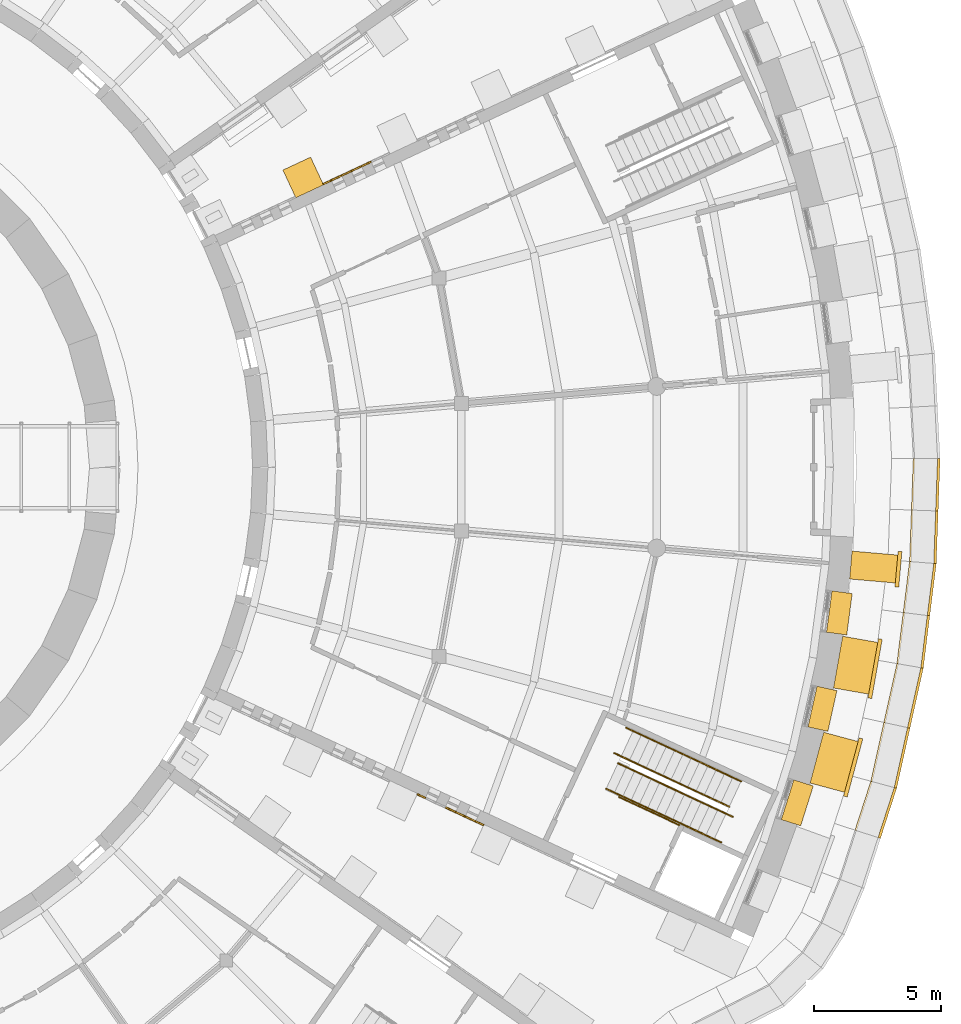
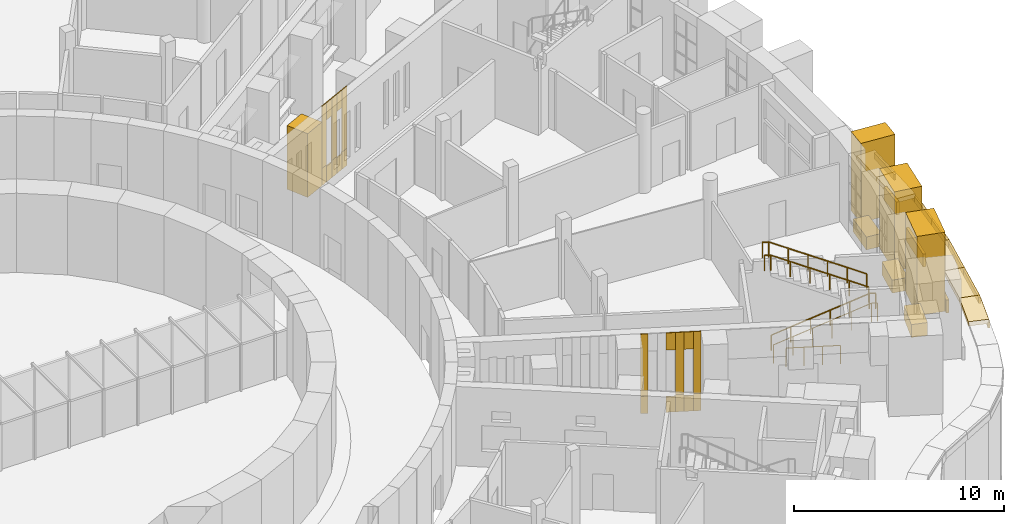
# One storey, part 73 of 85: 44 coverings, 5 railings.
"""IFC4 building model written with IfcOpenShell, lengths in metres."""

from ifc_helpers import new_model, si_unit, direction, frame, origin, origin_2d, place, context, subcontext, project, spatial, polyline, rectangle, circle, outline, extrude, material, layer, layer_set, type_object, element, save


model = new_model("IFC4")

# Units and contexts
model_context = context("Model", 3, precision=1e-05, world=origin(), true_north=direction((0.0, 1.0)))
body_context = subcontext(model_context, "Body", "Model", "MODEL_VIEW")
ifc_project = project(units=[si_unit("LENGTHUNIT", "METRE"), si_unit("AREAUNIT", "SQUARE_METRE"), si_unit("VOLUMEUNIT", "CUBIC_METRE"), si_unit("PLANEANGLEUNIT", "RADIAN"), si_unit("MASSUNIT", "GRAM", prefix="KILO")], contexts=[model_context])

# Site, building, storey
site_placement = place(None, origin())
site = spatial("IfcSite", under=ifc_project, at=site_placement, CompositionType="ELEMENT")
building_placement = place(site_placement, origin())
building = spatial("IfcBuilding", under=site, at=building_placement, Name="Volute Hill Aquarium", CompositionType="ELEMENT")
storey_placement = place(building_placement, origin())
storey = spatial("IfcBuildingStorey", under=building, at=storey_placement, Name="L01", CompositionType="ELEMENT", Elevation=0.0)

# Coverings
ifc_material_1 = material(Name="Blue limestone", Category="masonry")
covering_type_1 = type_object("IfcCoveringType", Name="Bluestone plinth block 275x750", PredefinedType="CLADDING", material=ifc_material_1)
for number, where, z_axis, x_axis, name in (
    (1, (41.781005859375, -13.173583984375, 0.0), (0.0, 0.0, 1.0), (0.300712819287, 0.953714737391, 0.0), "Bluestone plinth BPN S4 L01 2"),
    (2, (42.77001953125, -9.48193359375, 0.0), (0.0, 0.0, 1.0), (0.216435504842, 0.976296918076, 0.0), "Bluestone plinth BPN S4 L01 3"),
    (3, (43.43359375, -5.718017578125, 0.0), (0.0, 0.0, 1.0), (0.130515650214, 0.991446249198, 0.0), "Bluestone plinth BPN S4 L01 4"),
):
    element("IfcCovering", number, at=place(storey_placement, frame(where, z_axis=z_axis, x_axis=x_axis)), inside=storey, type_object=covering_type_1, Name=name, PredefinedType="CLADDING", context=body_context, shape_type="SweptSolid", body=[
        extrude(rectangle(XDim=1.637451171875, YDim=0.800048828125, at=origin_2d()), origin(), (0.0, 0.0, 1.0), 0.75),
    ])
ifc_material_2 = material(Name="Blue limestone", Category="masonry")
ifc_layer_1 = layer(ifc_material_2, 0.14990234375)
ifc_layer_set_1 = layer_set([ifc_layer_1], Name="Bluestone plinth plate 150x750")
covering_type_2 = type_object("IfcCoveringType", Name="Bluestone plinth plate 150x750", PredefinedType="CLADDING", material=ifc_layer_set_1)
for number, where, z_axis, x_axis, name in (
    (4, (43.97607421875, -11.783203125, 0.0), (0.0, 0.0, 1.0), (0.258819045103, 0.965925826289, 0.0), "Bluestone plinth BP S4 L01 2"),
    (5, (44.835693359375, -7.90576171875, 0.0), (0.0, 0.0, 1.0), (0.173648177667, 0.984807753012, 0.0), "Bluestone plinth BP S4 L01 3"),
):
    element("IfcCovering", number, at=place(storey_placement, frame(where, z_axis=z_axis, x_axis=x_axis)), inside=storey, type_object=covering_type_2, Name=name, PredefinedType="CLADDING", context=body_context, shape_type="SweptSolid", body=[
        extrude(rectangle(XDim=2.362060546875, YDim=0.14990234375, at=origin_2d()), origin(), (0.0, 0.0, 1.0), 0.75),
    ])
covering_1_placement = place(storey_placement, frame((45.75244140625, -4.002685546875, 0.0), z_axis=(0.0, 0.0, 1.0), x_axis=(0.087155742748, 0.996194698092, 0.0)))
element("IfcCovering", 6, at=covering_1_placement, inside=storey, type_object=covering_type_2, Name="Bluestone plinth BP S4 L01 4", PredefinedType="CLADDING", context=body_context, shape_type="SweptSolid", body=[
    extrude(rectangle(XDim=1.39990234375, YDim=0.14990234375, at=origin_2d()), origin(), (0.0, 0.0, 1.0), 0.75),
])
ifc_material_3 = material(Name="Blue limestone", Category="masonry")
ifc_layer_2 = layer(ifc_material_3, 0.06005859375)
ifc_layer_set_2 = layer_set([ifc_layer_2], Name="End wall plinth blue limestone 60")
covering_type_3 = type_object("IfcCoveringType", Name="End wall plinth blue limestone 60", PredefinedType="CLADDING", material=ifc_layer_set_2)
covering_2_placement = place(storey_placement, frame((26.8515625, -12.863037109375, 0.0), z_axis=(-0.422503748493, -0.906361176634, 0.0), x_axis=(0.906361176634, -0.422503748493, 0.0)))
element("IfcCovering", 7, at=covering_2_placement, inside=storey, type_object=covering_type_3, Name="End wall plinth EWL S4A L01 3", PredefinedType="CLADDING", context=body_context, shape_type="SweptSolid", body=[
    extrude(outline(polyline([(0.0, 0.0), (0.35017255888939314, 0.0), (0.35017255888939314, 1.0), (0.0, 1.0), (0.0, 0.0)])), origin(), (0.0, 0.0, -1.0), 0.06005859375),
])
covering_3_placement = place(storey_placement, frame((27.950927734375, -13.375732421875, 0.0), z_axis=(-0.422736919649, -0.906252446488, 0.0), x_axis=(0.906252446488, -0.422736919649, 0.0)))
element("IfcCovering", 8, at=covering_3_placement, inside=storey, type_object=covering_type_3, Name="End wall plinth EWL S4A L01 3", PredefinedType="CLADDING", context=body_context, shape_type="SweptSolid", body=[
    extrude(outline(polyline([(0.0, 0.0), (0.4498910268656508, 0.0), (0.4498910268656508, 0.89990234375), (0.0, 0.89990234375), (0.0, 0.0)])), origin(), (0.0, 0.0, -1.0), 0.06005859375),
])
covering_4_placement = place(storey_placement, frame((28.358642578125, -13.56591796875, 0.0), z_axis=(-0.42220553922, -0.906500128324, 0.0), x_axis=(0.906500128324, -0.42220553922, 0.0)))
element("IfcCovering", 9, at=covering_4_placement, inside=storey, type_object=covering_type_3, Name="End wall plinth EWL S4A L01 3", PredefinedType="CLADDING", context=body_context, shape_type="SweptSolid", body=[
    extrude(outline(polyline([(0.0, 0.0), (0.4128709598936065, 0.0), (0.4128709598936065, 1.0), (0.0, 1.0), (0.0, 0.0)])), origin(), (0.0, 0.0, -1.0), 0.06005859375),
])
covering_5_placement = place(storey_placement, frame((28.73291015625, -13.740234375, 0.0), z_axis=(-0.422736919649, -0.906252446488, 0.0), x_axis=(0.906252446488, -0.422736919649, 0.0)))
element("IfcCovering", 10, at=covering_5_placement, inside=storey, type_object=covering_type_3, Name="End wall plinth EWL S4A L01 3", PredefinedType="CLADDING", context=body_context, shape_type="SweptSolid", body=[
    extrude(outline(polyline([(0.0, 0.0), (0.4498910268656508, 0.0), (0.4498910268656508, 0.89990234375), (0.0, 0.89990234375), (0.0, 0.0)])), origin(), (0.0, 0.0, -1.0), 0.06005859375),
])
for number, where, z_axis, x_axis, name in (
    (11, (29.140625, -13.930419921875, 0.0), (-0.422503748493, -0.906361176634, 0.0), (0.906361176634, -0.422503748493, 0.0), "End wall plinth EWL S4A L01 3"),
    (12, (23.182861328125, 11.086181640625, 0.0), (0.422503748493, -0.906361176634, 0.0), (0.906361176634, 0.422503748493, 0.0), "End wall plinth EWL S4B L01 2"),
):
    element("IfcCovering", number, at=place(storey_placement, frame(where, z_axis=z_axis, x_axis=x_axis)), inside=storey, type_object=covering_type_3, Name=name, PredefinedType="CLADDING", context=body_context, shape_type="SweptSolid", body=[
        extrude(outline(polyline([(0.0, 0.0), (0.35017255888939314, 0.0), (0.35017255888939314, 1.0), (0.0, 1.0), (0.0, 0.0)])), origin(), (0.0, 0.0, -1.0), 0.06005859375),
    ])
covering_6_placement = place(storey_placement, frame((23.500244140625, 11.234130859375, 0.0), z_axis=(0.422736919649, -0.906252446488, 0.0), x_axis=(0.906252446488, 0.422736919649, 0.0)))
element("IfcCovering", 13, at=covering_6_placement, inside=storey, type_object=covering_type_3, Name="End wall plinth EWL S4B L01 2", PredefinedType="CLADDING", context=body_context, shape_type="SweptSolid", body=[
    extrude(outline(polyline([(0.0, 0.0), (0.4498910268656508, 0.0), (0.4498910268656508, 0.89990234375), (0.0, 0.89990234375), (0.0, 0.0)])), origin(), (0.0, 0.0, -1.0), 0.06005859375),
])
covering_7_placement = place(storey_placement, frame((23.907958984375, 11.42431640625, 0.0), z_axis=(0.422691273525, -0.906273737502, 0.0), x_axis=(0.906273737502, 0.422691273525, 0.0)))
element("IfcCovering", 14, at=covering_7_placement, inside=storey, type_object=covering_type_3, Name="End wall plinth EWL S4B L01 2", PredefinedType="CLADDING", context=body_context, shape_type="SweptSolid", body=[
    extrude(outline(polyline([(0.0, 0.0), (0.4129740967189735, 0.0), (0.4129740967189735, 1.0), (0.0, 1.0), (0.0, 0.0)])), origin(), (0.0, 0.0, -1.0), 0.06005859375),
])
covering_8_placement = place(storey_placement, frame((24.2822265625, 11.598876953125, 0.0), z_axis=(0.422736919649, -0.906252446488, 0.0), x_axis=(0.906252446488, 0.422736919649, 0.0)))
element("IfcCovering", 15, at=covering_8_placement, inside=storey, type_object=covering_type_3, Name="End wall plinth EWL S4B L01 2", PredefinedType="CLADDING", context=body_context, shape_type="SweptSolid", body=[
    extrude(outline(polyline([(0.0, 0.0), (0.4498910268656508, 0.0), (0.4498910268656508, 0.89990234375), (0.0, 0.89990234375), (0.0, 0.0)])), origin(), (0.0, 0.0, -1.0), 0.06005859375),
])
covering_9_placement = place(storey_placement, frame((24.68994140625, 11.7890625, 0.0), z_axis=(0.42220553922, -0.906500128324, 0.0), x_axis=(0.906500128324, 0.42220553922, 0.0)))
element("IfcCovering", 16, at=covering_9_placement, inside=storey, type_object=covering_type_3, Name="End wall plinth EWL S4B L01 2", PredefinedType="CLADDING", context=body_context, shape_type="SweptSolid", body=[
    extrude(outline(polyline([(0.0, 0.0), (0.4128709598936065, 0.0), (0.4128709598936065, 1.0), (0.0, 1.0), (0.0, 0.0)])), origin(), (0.0, 0.0, -1.0), 0.06005859375),
])
ifc_material_4 = material(Name="Precast concrete C40/50", Category="concrete")
covering_type_4 = type_object("IfcCoveringType", Name="End wall precast fin C40/50 1200x1200", PredefinedType="CLADDING", material=ifc_material_4)
covering_10_placement = place(storey_placement, frame((22.385498046875, 11.376220703125, 0.0), z_axis=(0.0, 0.0, 1.0), x_axis=(0.906306960471, 0.422620034311, 0.0)))
element("IfcCovering", 17, at=covering_10_placement, inside=storey, type_object=covering_type_4, Name="End wall fin EWF S4B L01 2", PredefinedType="CLADDING", context=body_context, shape_type="SweptSolid", body=[
    extrude(rectangle(XDim=1.199951171875, YDim=1.199951171875, at=origin_2d()), origin(), (0.0, 0.0, 1.0), 3.699951171875),
])
ifc_material_5 = material(Name="Precast concrete C40/50", Category="concrete")
ifc_layer_3 = layer(ifc_material_5, 0.050048828125)
ifc_layer_set_3 = layer_set([ifc_layer_3], Name="End wall precast infill panel C40/50 50")
covering_type_5 = type_object("IfcCoveringType", Name="End wall precast infill panel C40/50 50", PredefinedType="CLADDING", material=ifc_layer_set_3)
covering_11_placement = place(storey_placement, frame((26.855712890625, -12.85400390625, 1.0), z_axis=(-0.422809198631, -0.906218727214, 0.0), x_axis=(0.906218727214, -0.422809198631, 0.0)))
element("IfcCovering", 18, at=covering_11_placement, inside=storey, type_object=covering_type_5, Name="End wall panel EWP S4A L01 3", PredefinedType="CLADDING", context=body_context, shape_type="SweptSolid", body=[
    extrude(outline(polyline([(0.0, 0.0), (0.35049700870951644, 0.0), (0.35049700870951644, 3.60009765625), (0.0, 3.60009765625), (0.0, 0.0)])), origin(), (0.0, 0.0, -1.0), 0.050048828125),
])
covering_12_placement = place(storey_placement, frame((27.955078125, -13.36669921875, 3.60009765625), z_axis=(-0.422529111883, -0.90634935296, 0.0), x_axis=(0.90634935296, -0.422529111883, 0.0)))
element("IfcCovering", 19, at=covering_12_placement, inside=storey, type_object=covering_type_5, Name="End wall panel EWP S4A L01 3", PredefinedType="CLADDING", context=body_context, shape_type="SweptSolid", body=[
    extrude(outline(polyline([(0.0, 0.0), (0.4501122917366558, 0.0), (0.4501122917366558, 1.0), (0.0, 1.0), (0.0, 0.0)])), origin(), (0.0, 0.0, -1.0), 0.050048828125),
])
covering_13_placement = place(storey_placement, frame((28.363037109375, -13.556884765625, 1.0), z_axis=(-0.422917846092, -0.906168028269, 0.0), x_axis=(0.906168028269, -0.422917846092, 0.0)))
element("IfcCovering", 20, at=covering_13_placement, inside=storey, type_object=covering_type_5, Name="End wall panel EWP S4A L01 3", PredefinedType="CLADDING", context=body_context, shape_type="SweptSolid", body=[
    extrude(outline(polyline([(0.0, 0.0), (0.41275285138278023, 0.0), (0.41275285138278023, 3.60009765625), (0.0, 3.60009765625), (0.0, 0.0)])), origin(), (0.0, 0.0, -1.0), 0.050048828125),
])
covering_14_placement = place(storey_placement, frame((28.737060546875, -13.7314453125, 3.60009765625), z_axis=(-0.422529111883, -0.90634935296, 0.0), x_axis=(0.90634935296, -0.422529111883, 0.0)))
element("IfcCovering", 21, at=covering_14_placement, inside=storey, type_object=covering_type_5, Name="End wall panel EWP S4A L01 3", PredefinedType="CLADDING", context=body_context, shape_type="SweptSolid", body=[
    extrude(outline(polyline([(0.0, 0.0), (0.4501122917366558, 0.0), (0.4501122917366558, 1.0), (0.0, 1.0), (0.0, 0.0)])), origin(), (0.0, 0.0, -1.0), 0.050048828125),
])
for number, where, z_axis, x_axis, name in (
    (22, (29.14501953125, -13.921630859375, 1.0), (-0.422503748493, -0.906361176634, 0.0), (0.906361176634, -0.422503748493, 0.0), "End wall panel EWP S4A L01 3"),
    (23, (23.1826171875, 11.086181640625, 1.0), (0.422503748493, -0.906361176634, 0.0), (0.906361176634, 0.422503748493, 0.0), "End wall panel EWP S4B L01 2"),
):
    element("IfcCovering", number, at=place(storey_placement, frame(where, z_axis=z_axis, x_axis=x_axis)), inside=storey, type_object=covering_type_5, Name=name, PredefinedType="CLADDING", context=body_context, shape_type="SweptSolid", body=[
        extrude(outline(polyline([(0.0, 0.0), (0.35017255888939314, 0.0), (0.35017255888939314, 3.60009765625), (0.0, 3.60009765625), (0.0, 0.0)])), origin(), (0.0, 0.0, -1.0), 0.050048828125),
    ])
covering_15_placement = place(storey_placement, frame((23.5, 11.234130859375, 3.60009765625), z_axis=(0.422529111883, -0.90634935296, 0.0), x_axis=(0.90634935296, 0.422529111883, 0.0)))
element("IfcCovering", 24, at=covering_15_placement, inside=storey, type_object=covering_type_5, Name="End wall panel EWP S4B L01 2", PredefinedType="CLADDING", context=body_context, shape_type="SweptSolid", body=[
    extrude(outline(polyline([(0.0, 0.0), (0.4501122917366558, 0.0), (0.4501122917366558, 1.0), (0.0, 1.0), (0.0, 0.0)])), origin(), (0.0, 0.0, -1.0), 0.050048828125),
])
covering_16_placement = place(storey_placement, frame((23.907958984375, 11.42431640625, 1.0), z_axis=(0.422431964594, -0.906394635515, 0.0), x_axis=(0.906394635515, 0.422431964594, 0.0)))
element("IfcCovering", 25, at=covering_16_placement, inside=storey, type_object=covering_type_5, Name="End wall panel EWP S4B L01 2", PredefinedType="CLADDING", context=body_context, shape_type="SweptSolid", body=[
    extrude(outline(polyline([(0.0, 0.0), (0.4126496592598029, 0.0), (0.4126496592598029, 3.60009765625), (0.0, 3.60009765625), (0.0, 0.0)])), origin(), (0.0, 0.0, -1.0), 0.050048828125),
])
covering_17_placement = place(storey_placement, frame((24.281982421875, 11.5986328125, 3.60009765625), z_axis=(0.422529111883, -0.90634935296, 0.0), x_axis=(0.90634935296, 0.422529111883, 0.0)))
element("IfcCovering", 26, at=covering_17_placement, inside=storey, type_object=covering_type_5, Name="End wall panel EWP S4B L01 2", PredefinedType="CLADDING", context=body_context, shape_type="SweptSolid", body=[
    extrude(outline(polyline([(0.0, 0.0), (0.4501122917366558, 0.0), (0.4501122917366558, 1.0), (0.0, 1.0), (0.0, 0.0)])), origin(), (0.0, 0.0, -1.0), 0.050048828125),
])
covering_18_placement = place(storey_placement, frame((24.68994140625, 11.788818359375, 1.0), z_axis=(0.422917846092, -0.906168028269, 0.0), x_axis=(0.906168028269, 0.422917846092, 0.0)))
element("IfcCovering", 27, at=covering_18_placement, inside=storey, type_object=covering_type_5, Name="End wall panel EWP S4B L01 2", PredefinedType="CLADDING", context=body_context, shape_type="SweptSolid", body=[
    extrude(outline(polyline([(0.0, 0.0), (0.41275285138278023, 0.0), (0.41275285138278023, 3.60009765625), (0.0, 3.60009765625), (0.0, 0.0)])), origin(), (0.0, 0.0, -1.0), 0.050048828125),
])

# Railings
ifc_material_6 = material(Name="Stainless steel 1.4301", Category="steel")
railing_type_1 = type_object("IfcRailingType", Name="Guard 1100 stainless", PredefinedType="GUARDRAIL", material=ifc_material_6)
railing_1_placement = place(storey_placement, frame((37.14501953125, -14.0439453125, 0.0)))
element("IfcRailing", 28, at=railing_1_placement, inside=storey, type_object=railing_type_1, Name="gd/S4-A/L01/edge", PredefinedType="GUARDRAIL", context=body_context, shape_type="SweptSolid", body=[
    extrude(circle(Radius=0.02392578125, at=origin_2d()), frame((0.0, 0.0, 1.076171875), z_axis=(-0.906300648467, 0.422633570115, 0.0), x_axis=(-0.422633570115, -0.906300648467, 0.0)), (0.0, 0.0, 1.0), 2.60009765625),
    extrude(circle(Radius=0.02099609375, at=origin_2d()), origin(), (0.0, 0.0, 1.0), 1.052001953125),
    extrude(circle(Radius=0.02099609375, at=origin_2d()), frame((-0.785400390625, 0.3662109375, 0.0)), (0.0, 0.0, 1.0), 1.052001953125),
    extrude(circle(Radius=0.02099609375, at=origin_2d()), frame((-1.571044921875, 0.732666015625, 0.0)), (0.0, 0.0, 1.0), 1.052001953125),
    extrude(circle(Radius=0.02099609375, at=origin_2d()), frame((-2.3564453125, 1.098876953125, 0.0)), (0.0, 0.0, 1.0), 1.052001953125),
])
railing_2_placement = place(storey_placement, frame((34.278564453125, -12.619140625, 0.164306640625)))
element("IfcRailing", 29, at=railing_2_placement, inside=storey, type_object=railing_type_1, Name="gd/S4-A/L01/1", PredefinedType="GUARDRAIL", context=body_context, shape_type="SweptSolid", body=[
    extrude(circle(Radius=0.02392578125, at=origin_2d()), frame((0.0, 0.0, 1.076171875), z_axis=(0.824509460014, -0.384467342173, 0.415173473563), x_axis=(0.42261127948, 0.906311042885, 0.0)), (0.0, 0.0, 1.0), 5.144287109375),
    extrude(circle(Radius=0.02392578125, at=origin_2d()), frame((4.241455078125, -1.977783203125, 3.2119140625), z_axis=(0.906453195831, -0.422306291415, 0.0), x_axis=(0.422306291415, 0.906453195831, 0.0)), (0.0, 0.0, 1.0), 0.300048828125),
    extrude(circle(Radius=0.02099609375, at=origin_2d()), origin(), (0.0, 0.0, 1.0), 1.052001953125),
    extrude(circle(Radius=0.02099609375, at=origin_2d()), frame((0.848388671875, -0.3955078125, 0.42724609375)), (0.0, 0.0, 1.0), 1.052001953125),
    extrude(circle(Radius=0.02099609375, at=origin_2d()), frame((1.696533203125, -0.791015625, 0.854248046875)), (0.0, 0.0, 1.0), 1.052001953125),
    extrude(circle(Radius=0.02099609375, at=origin_2d()), frame((2.544921875, -1.186767578125, 1.281494140625)), (0.0, 0.0, 1.0), 1.052001953125),
    extrude(circle(Radius=0.02099609375, at=origin_2d()), frame((3.39306640625, -1.582275390625, 1.70849609375)), (0.0, 0.0, 1.0), 1.052001953125),
    extrude(circle(Radius=0.02099609375, at=origin_2d()), frame((4.241455078125, -1.977783203125, 2.1357421875)), (0.0, 0.0, 1.0), 1.052001953125),
    extrude(circle(Radius=0.02099609375, at=origin_2d()), frame((4.513427734375, -2.1044921875, 2.1357421875)), (0.0, 0.0, 1.0), 1.052001953125),
])
ifc_material_7 = material(Name="Stainless steel 1.4301", Category="steel")
railing_type_2 = type_object("IfcRailingType", Name="Handrail 48 stainless", PredefinedType="HANDRAIL", material=ifc_material_7)
railing_3_placement = place(storey_placement, frame((34.743408203125, -11.6220703125, 0.164306640625)))
element("IfcRailing", 30, at=railing_3_placement, inside=storey, type_object=railing_type_2, Name="hr/S4-A/L01/2", PredefinedType="HANDRAIL", context=body_context, shape_type="SweptSolid", body=[
    extrude(circle(Radius=0.02392578125, at=origin_2d()), frame((0.0, 0.0, 0.8759765625), z_axis=(0.824509610767, -0.384492740096, 0.415149653217), x_axis=(0.422634147204, 0.906300379354, 0.0)), (0.0, 0.0, 1.0), 5.14453125),
    extrude(circle(Radius=0.02392578125, at=origin_2d()), frame((4.24169921875, -1.97802734375, 3.01171875), z_axis=(0.906307919131, -0.422617978463, 0.0), x_axis=(0.422617978463, 0.906307919131, 0.0)), (0.0, 0.0, 1.0), 0.2998046875),
    extrude(circle(Radius=0.02099609375, at=origin_2d()), origin(), (0.0, 0.0, 1.0), 0.851806640625),
    extrude(circle(Radius=0.02099609375, at=origin_2d()), frame((0.848388671875, -0.3955078125, 0.42724609375)), (0.0, 0.0, 1.0), 0.851806640625),
    extrude(circle(Radius=0.02099609375, at=origin_2d()), frame((1.69677734375, -0.791259765625, 0.854248046875)), (0.0, 0.0, 1.0), 0.851806640625),
    extrude(circle(Radius=0.02099609375, at=origin_2d()), frame((2.544921875, -1.186767578125, 1.281494140625)), (0.0, 0.0, 1.0), 0.851806640625),
    extrude(circle(Radius=0.02099609375, at=origin_2d()), frame((3.393310546875, -1.58251953125, 1.70849609375)), (0.0, 0.0, 1.0), 0.851806640625),
    extrude(circle(Radius=0.02099609375, at=origin_2d()), frame((4.24169921875, -1.97802734375, 2.1357421875)), (0.0, 0.0, 1.0), 0.851806640625),
    extrude(circle(Radius=0.02099609375, at=origin_2d()), frame((4.513427734375, -2.104736328125, 2.1357421875)), (0.0, 0.0, 1.0), 0.851806640625),
])
railing_4_placement = place(storey_placement, frame((39.11181640625, -13.328125, 2.46435546875)))
element("IfcRailing", 31, at=railing_4_placement, inside=storey, type_object=railing_type_2, Name="hr/S4-A/L01/3", PredefinedType="HANDRAIL", context=body_context, shape_type="SweptSolid", body=[
    extrude(circle(Radius=0.02392578125, at=origin_2d()), frame((0.0, 0.0, 0.8759765625), z_axis=(-0.824494415061, 0.384507785116, 0.415165897827), x_axis=(-0.422654128672, -0.906291061148, 0.0)), (0.0, 0.0, 1.0), 5.144287109375),
    extrude(circle(Radius=0.02392578125, at=origin_2d()), frame((-4.241455078125, 1.97802734375, 3.01171875), z_axis=(-0.906453195831, 0.422306291415, 0.0), x_axis=(-0.422306291415, -0.906453195831, 0.0)), (0.0, 0.0, 1.0), 0.300048828125),
    extrude(circle(Radius=0.02099609375, at=origin_2d()), origin(), (0.0, 0.0, 1.0), 0.851806640625),
    extrude(circle(Radius=0.02099609375, at=origin_2d()), frame((-0.848388671875, 0.3955078125, 0.42724609375)), (0.0, 0.0, 1.0), 0.851806640625),
    extrude(circle(Radius=0.02099609375, at=origin_2d()), frame((-1.696533203125, 0.791259765625, 0.854248046875)), (0.0, 0.0, 1.0), 0.851806640625),
    extrude(circle(Radius=0.02099609375, at=origin_2d()), frame((-2.544921875, 1.186767578125, 1.281494140625)), (0.0, 0.0, 1.0), 0.851806640625),
    extrude(circle(Radius=0.02099609375, at=origin_2d()), frame((-3.39306640625, 1.58251953125, 1.70849609375)), (0.0, 0.0, 1.0), 0.851806640625),
    extrude(circle(Radius=0.02099609375, at=origin_2d()), frame((-4.241455078125, 1.97802734375, 2.1357421875)), (0.0, 0.0, 1.0), 0.851806640625),
    extrude(circle(Radius=0.02099609375, at=origin_2d()), frame((-4.513427734375, 2.104736328125, 2.1357421875)), (0.0, 0.0, 1.0), 0.851806640625),
])
railing_5_placement = place(storey_placement, frame((39.57666015625, -12.3310546875, 2.46435546875)))
element("IfcRailing", 32, at=railing_5_placement, inside=storey, type_object=railing_type_2, Name="hr/S4-A/L01/4", PredefinedType="HANDRAIL", context=body_context, shape_type="SweptSolid", body=[
    extrude(circle(Radius=0.02392578125, at=origin_2d()), frame((0.0, 0.0, 0.8759765625), z_axis=(-0.824509460014, 0.384467342173, 0.415173473563), x_axis=(-0.42261127948, -0.906311042885, 0.0)), (0.0, 0.0, 1.0), 5.144287109375),
    extrude(circle(Radius=0.02392578125, at=origin_2d()), frame((-4.241455078125, 1.977783203125, 3.01171875), z_axis=(-0.906453195831, 0.422306291415, 0.0), x_axis=(-0.422306291415, -0.906453195831, 0.0)), (0.0, 0.0, 1.0), 0.300048828125),
    extrude(circle(Radius=0.02099609375, at=origin_2d()), origin(), (0.0, 0.0, 1.0), 0.851806640625),
    extrude(circle(Radius=0.02099609375, at=origin_2d()), frame((-0.848388671875, 0.3955078125, 0.42724609375)), (0.0, 0.0, 1.0), 0.851806640625),
    extrude(circle(Radius=0.02099609375, at=origin_2d()), frame((-1.696533203125, 0.791015625, 0.854248046875)), (0.0, 0.0, 1.0), 0.851806640625),
    extrude(circle(Radius=0.02099609375, at=origin_2d()), frame((-2.544921875, 1.186767578125, 1.281494140625)), (0.0, 0.0, 1.0), 0.851806640625),
    extrude(circle(Radius=0.02099609375, at=origin_2d()), frame((-3.39306640625, 1.582275390625, 1.70849609375)), (0.0, 0.0, 1.0), 0.851806640625),
    extrude(circle(Radius=0.02099609375, at=origin_2d()), frame((-4.241455078125, 1.977783203125, 2.1357421875)), (0.0, 0.0, 1.0), 0.851806640625),
    extrude(circle(Radius=0.02099609375, at=origin_2d()), frame((-4.513427734375, 2.1044921875, 2.1357421875)), (0.0, 0.0, 1.0), 0.851806640625),
])

# Coverings
ifc_material_8 = material(Name="Precast concrete C40/50", Category="concrete")
ifc_layer_4 = layer(ifc_material_8, 0.25)
ifc_layer_set_4 = layer_set([ifc_layer_4], Name="Plinth coping precast concrete C40/50 1000")
covering_type_6 = type_object("IfcCoveringType", Name="Plinth coping precast concrete C40/50 1000", PredefinedType="CLADDING", material=ifc_layer_set_4)
covering_19_placement = place(storey_placement, frame((0.0, 0.0, -0.10009765625)))
element("IfcCovering", 33, at=covering_19_placement, inside=storey, type_object=covering_type_6, Name="cp/E45UP/L01/1", PredefinedType="CLADDING", context=body_context, shape_type="SweptSolid", body=[
    extrude(outline(polyline([(45.634765625, -12.588134765625), (45.634765625, -12.588134765625), (44.668701171875, -12.325439453125), (44.668701171875, -12.325439453125), (44.0478515625, -14.2451171875), (44.999267578125, -14.552978515625), (45.634765625, -12.588134765625)])), origin(), (0.0, 0.0, 1.0), 0.25),
])
covering_20_placement = place(storey_placement, frame((0.0, 0.0, -0.10009765625)))
element("IfcCovering", 34, at=covering_20_placement, inside=storey, type_object=covering_type_6, Name="cp/E46UP/L01/0", PredefinedType="CLADDING", context=body_context, shape_type="SweptSolid", body=[
    extrude(outline(polyline([(45.634765625, -12.588134765625), (46.156982421875, -10.232666015625), (45.1806640625, -10.016357421875), (44.668701171875, -12.325439453125), (45.634765625, -12.588134765625)])), origin(), (0.0, 0.0, 1.0), 0.25),
])
covering_21_placement = place(storey_placement, frame((0.0, 0.0, -0.10009765625)))
element("IfcCovering", 35, at=covering_21_placement, inside=storey, type_object=covering_type_6, Name="cp/E46UP/L01/1", PredefinedType="CLADDING", context=body_context, shape_type="SweptSolid", body=[
    extrude(outline(polyline([(46.156982421875, -10.232666015625), (46.678955078125, -7.87744140625), (45.692626953125, -7.707275390625), (45.1806640625, -10.016357421875), (46.156982421875, -10.232666015625)])), origin(), (0.0, 0.0, 1.0), 0.25),
])
covering_22_placement = place(storey_placement, frame((0.0, 0.0, -0.10009765625)))
element("IfcCovering", 36, at=covering_22_placement, inside=storey, type_object=covering_type_6, Name="cp/E47UP/L01/0", PredefinedType="CLADDING", context=body_context, shape_type="SweptSolid", body=[
    extrude(outline(polyline([(46.678955078125, -7.87744140625), (46.93359375, -5.827880859375), (45.941162109375, -5.70458984375), (45.692626953125, -7.707275390625), (45.692626953125, -7.707275390625), (46.678955078125, -7.87744140625), (46.678955078125, -7.87744140625)])), origin(), (0.0, 0.0, 1.0), 0.25),
])
covering_23_placement = place(storey_placement, frame((0.0, 0.0, -0.10009765625)))
element("IfcCovering", 37, at=covering_23_placement, inside=storey, type_object=covering_type_6, Name="cp/E47UP/L01/1", PredefinedType="CLADDING", context=body_context, shape_type="SweptSolid", body=[
    extrude(outline(polyline([(46.93359375, -5.827880859375), (47.18798828125, -3.780029296875), (46.190185546875, -3.699951171875), (46.190185546875, -3.699951171875), (45.941162109375, -5.70458984375), (46.93359375, -5.827880859375)])), origin(), (0.0, 0.0, 1.0), 0.25),
])
covering_24_placement = place(storey_placement, frame((0.0, 0.0, -0.10009765625)))
element("IfcCovering", 38, at=covering_24_placement, inside=storey, type_object=covering_type_6, Name="cp/E48UP/L01/0", PredefinedType="CLADDING", context=body_context, shape_type="SweptSolid", body=[
    extrude(outline(polyline([(47.18798828125, -3.780029296875), (47.262939453125, -1.716552734375), (46.263671875, -1.68017578125), (46.190185546875, -3.699951171875), (47.18798828125, -3.780029296875), (47.18798828125, -3.780029296875)])), origin(), (0.0, 0.0, 1.0), 0.25),
])
covering_25_placement = place(storey_placement, frame((0.0, 0.0, -0.10009765625)))
element("IfcCovering", 39, at=covering_25_placement, inside=storey, type_object=covering_type_6, Name="cp/E48UP/L01/1", PredefinedType="CLADDING", context=body_context, shape_type="SweptSolid", body=[
    extrude(outline(polyline([(47.337890625, 0.34716796875), (47.337890625, 0.34716796875), (46.3369140625, 0.33984375), (46.263671875, -1.68017578125), (47.262939453125, -1.716552734375), (47.337890625, 0.34716796875)])), origin(), (0.0, 0.0, 1.0), 0.25),
])
ifc_material_9 = material(Name="Precast concrete C40/50", Category="concrete")
covering_type_7 = type_object("IfcCoveringType", Name="Projecting pier precast concrete C40/50 1100x1800", PredefinedType="CLADDING", material=ifc_material_9)
covering_26_placement = place(storey_placement, frame((44.78125, -3.917724609375, 0.0), z_axis=(0.0, 0.0, 1.0), x_axis=(0.087155742748, 0.996194698092, 0.0)))
element("IfcCovering", 40, at=covering_26_placement, inside=storey, type_object=covering_type_7, Name="Projecting pier PP S4 L01 4", PredefinedType="CLADDING", context=body_context, shape_type="SweptSolid", body=[
    extrude(rectangle(XDim=1.10009765625, YDim=1.800048828125, at=origin_2d()), origin(), (0.0, 0.0, 1.0), 4.60009765625),
])
ifc_material_10 = material(Name="Precast concrete C40/50", Category="concrete")
covering_type_8 = type_object("IfcCoveringType", Name="Projecting pier precast concrete C40/50 2062x1400", PredefinedType="CLADDING", material=ifc_material_10)
for number, where, z_axis, x_axis, name in (
    (41, (43.227294921875, -11.582763671875, 0.0), (0.0, 0.0, 1.0), (0.258819045103, 0.965925826289, 0.0), "Projecting pier PP S4 L01 2"),
    (42, (44.072509765625, -7.77099609375, 0.0), (0.0, 0.0, 1.0), (0.173648177667, 0.984807753012, 0.0), "Projecting pier PP S4 L01 3"),
):
    element("IfcCovering", number, at=place(storey_placement, frame(where, z_axis=z_axis, x_axis=x_axis)), inside=storey, type_object=covering_type_8, Name=name, PredefinedType="CLADDING", context=body_context, shape_type="SweptSolid", body=[
        extrude(rectangle(XDim=2.06201171875, YDim=1.39990234375, at=origin_2d()), origin(), (0.0, 0.0, 1.0), 4.60009765625),
    ])
ifc_material_11 = material(Name="Precast concrete C40/50", Category="concrete")
ifc_layer_5 = layer(ifc_material_11, 0.10009765625)
ifc_layer_set_5 = layer_set([ifc_layer_5], Name="Retained ground face precast concrete C40/50 100")
covering_type_9 = type_object("IfcCoveringType", Name="Retained ground face precast concrete C40/50 100", PredefinedType="CLADDING", material=ifc_layer_set_5)
covering_27_placement = place(storey_placement, frame((0.0, 0.0, -0.35009765625)))
element("IfcCovering", 43, at=covering_27_placement, inside=storey, type_object=covering_type_9, Name="tg/E45UP/L01/1", PredefinedType="CLADDING", context=body_context, shape_type="SweptSolid", body=[
    extrude(outline(polyline([(45.68310546875, -12.601318359375), (45.68310546875, -12.601318359375), (45.58642578125, -12.574951171875), (45.58642578125, -12.574951171875), (44.95166015625, -14.53759765625), (45.046875, -14.568359375), (45.68310546875, -12.601318359375)])), origin(), (0.0, 0.0, 1.0), 0.35009765625),
])
covering_28_placement = place(storey_placement, frame((0.0, 0.0, -0.35009765625)))
element("IfcCovering", 44, at=covering_28_placement, inside=storey, type_object=covering_type_9, Name="tg/E46UP/L01/0", PredefinedType="CLADDING", context=body_context, shape_type="SweptSolid", body=[
    extrude(outline(polyline([(45.68310546875, -12.601318359375), (46.205810546875, -10.24365234375), (46.108154296875, -10.221923828125), (45.58642578125, -12.574951171875), (45.68310546875, -12.601318359375)])), origin(), (0.0, 0.0, 1.0), 0.35009765625),
])
covering_29_placement = place(storey_placement, frame((0.0, 0.0, -0.35009765625)))
element("IfcCovering", 45, at=covering_29_placement, inside=storey, type_object=covering_type_9, Name="tg/E46UP/L01/1", PredefinedType="CLADDING", context=body_context, shape_type="SweptSolid", body=[
    extrude(outline(polyline([(46.205810546875, -10.24365234375), (46.728271484375, -7.885986328125), (46.629638671875, -7.868896484375), (46.108154296875, -10.221923828125), (46.205810546875, -10.24365234375)])), origin(), (0.0, 0.0, 1.0), 0.35009765625),
])
covering_30_placement = place(storey_placement, frame((0.0, 0.0, -0.35009765625)))
element("IfcCovering", 46, at=covering_30_placement, inside=storey, type_object=covering_type_9, Name="tg/E47UP/L01/0", PredefinedType="CLADDING", context=body_context, shape_type="SweptSolid", body=[
    extrude(outline(polyline([(46.728271484375, -7.885986328125), (46.983154296875, -5.833984375), (46.884033203125, -5.821533203125), (46.629638671875, -7.868896484375), (46.629638671875, -7.868896484375), (46.728271484375, -7.885986328125), (46.728271484375, -7.885986328125)])), origin(), (0.0, 0.0, 1.0), 0.35009765625),
])
covering_31_placement = place(storey_placement, frame((0.0, 0.0, -0.35009765625)))
element("IfcCovering", 47, at=covering_31_placement, inside=storey, type_object=covering_type_9, Name="tg/E47UP/L01/1", PredefinedType="CLADDING", context=body_context, shape_type="SweptSolid", body=[
    extrude(outline(polyline([(46.983154296875, -5.833984375), (47.23779296875, -3.783935546875), (47.13818359375, -3.77587890625), (47.13818359375, -3.77587890625), (46.884033203125, -5.821533203125), (46.983154296875, -5.833984375)])), origin(), (0.0, 0.0, 1.0), 0.35009765625),
])
covering_32_placement = place(storey_placement, frame((0.0, 0.0, -0.35009765625)))
element("IfcCovering", 48, at=covering_32_placement, inside=storey, type_object=covering_type_9, Name="tg/E48UP/L01/0", PredefinedType="CLADDING", context=body_context, shape_type="SweptSolid", body=[
    extrude(outline(polyline([(47.23779296875, -3.783935546875), (47.31298828125, -1.71826171875), (47.212890625, -1.714599609375), (47.13818359375, -3.77587890625), (47.23779296875, -3.783935546875), (47.23779296875, -3.783935546875)])), origin(), (0.0, 0.0, 1.0), 0.35009765625),
])
covering_33_placement = place(storey_placement, frame((0.0, 0.0, -0.35009765625)))
element("IfcCovering", 49, at=covering_33_placement, inside=storey, type_object=covering_type_9, Name="tg/E48UP/L01/1", PredefinedType="CLADDING", context=body_context, shape_type="SweptSolid", body=[
    extrude(outline(polyline([(47.387939453125, 0.347412109375), (47.387939453125, 0.347412109375), (47.287841796875, 0.3466796875), (47.287841796875, 0.3466796875), (47.212890625, -1.714599609375), (47.31298828125, -1.71826171875), (47.387939453125, 0.347412109375)])), origin(), (0.0, 0.0, 1.0), 0.35009765625),
])

save(model, "model.ifc")
